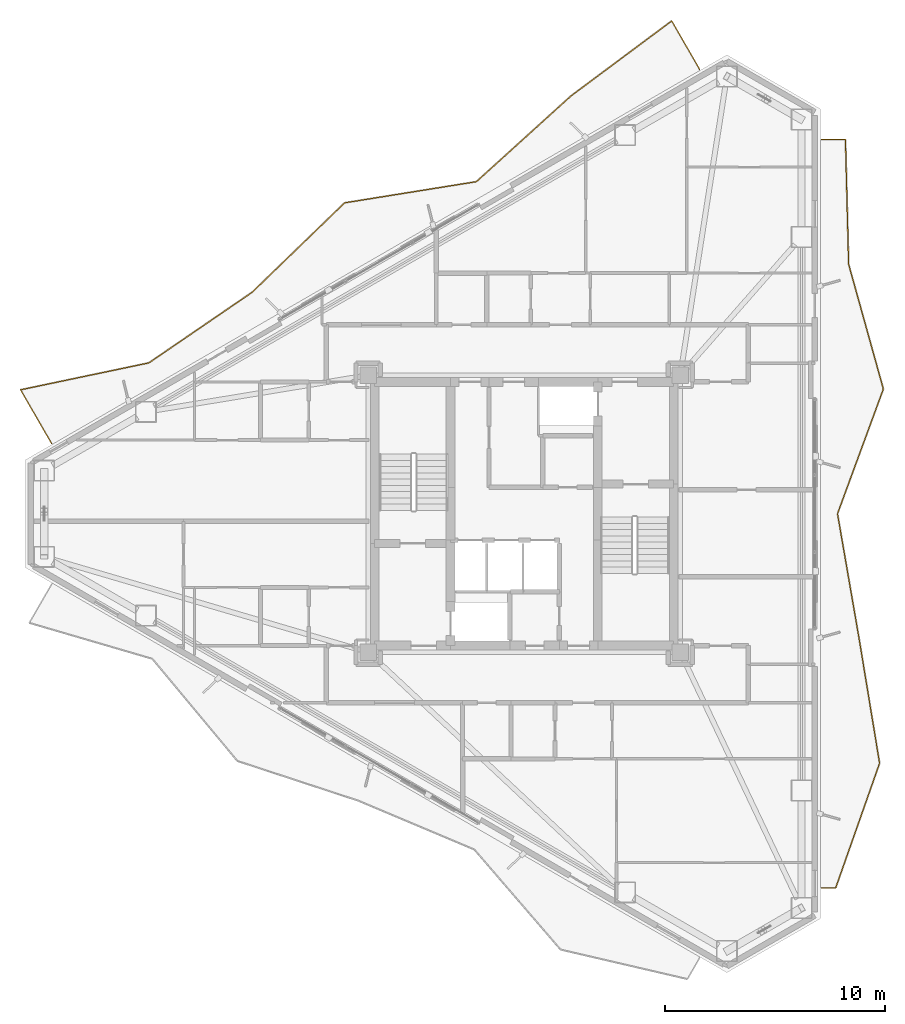
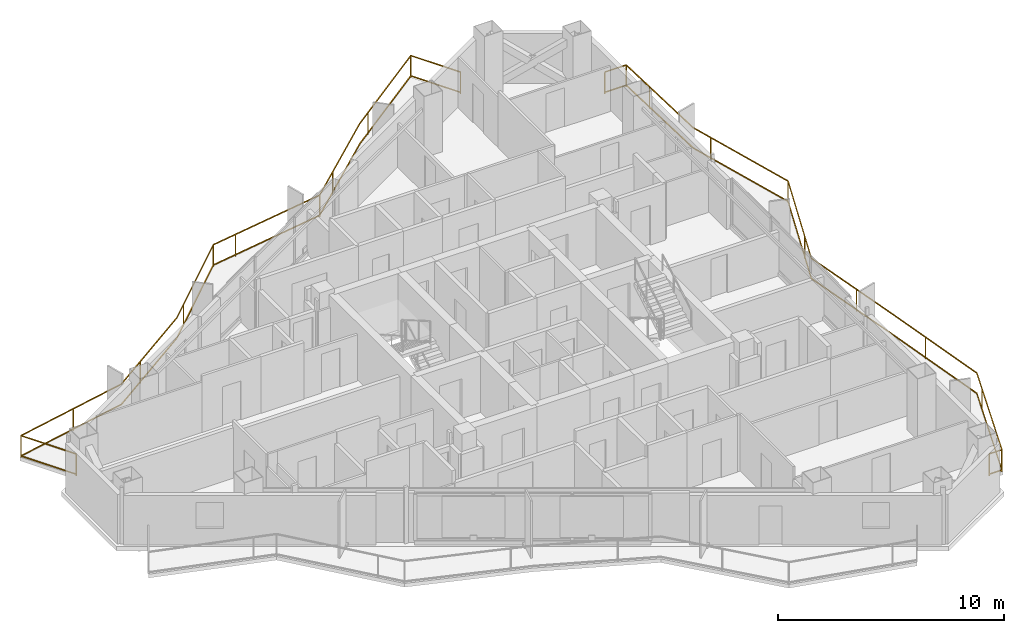
# One storey, part 19 of 19: 2 railings.
"""IFC4 building model written with IfcOpenShell, lengths in metres."""

import ifcopenshell
import ifcopenshell.guid

model = None  # the IFC model being written
_history = None  # IfcOwnerHistory: only IFC2X3 demands one
_inside = {}  # id of a spatial element -> (the spatial element, [elements in it])
_under = {}  # id of a project, library or spatial element -> (it, [spatial elements below it])
_declared = {}  # id of a project -> (the project, [libraries it declares])
_typed = {}  # id of a type object -> (the type object, [elements of that type])
_made_of = {}  # id of a material, layer set ... -> (it, [elements and type objects made of it])


def new_model(schema):
    """Start an empty IFC model of exactly this schema.

    Asked for "IFC4X3", IfcOpenShell would pick the latest addendum, in which some entities
    have other attributes; the version numbers below select the first issue.
    IFC2X3 requires an IfcOwnerHistory on every rooted entity: one is made here for all.
    """
    global model, _history
    if schema == "IFC4X3":
        model = ifcopenshell.file(schema_version=(4, 3, 0, 0))
    else:
        model = ifcopenshell.file(schema=schema)
    _inside.clear()
    _under.clear()
    _declared.clear()
    _typed.clear()
    _made_of.clear()
    _history = None
    if model.schema == "IFC2X3":
        org = make("IfcOrganization", Name="unknown")
        user = make(
            "IfcPersonAndOrganization",
            ThePerson=make("IfcPerson", FamilyName="unknown"),
            TheOrganization=org,
        )
        app = make(
            "IfcApplication",
            ApplicationDeveloper=org,
            Version="unknown",
            ApplicationFullName="unknown",
            ApplicationIdentifier="unknown",
        )
        _history = make(
            "IfcOwnerHistory",
            OwningUser=user,
            OwningApplication=app,
            ChangeAction="ADDED",
            CreationDate=0,
        )
    return model


def make(cls, **values):
    """One entity of the class cls with the attributes given. An attribute that is None is left unset."""
    return model.create_entity(
        cls, **{name: value for name, value in values.items() if value is not None}
    )


def rooted(cls, **values):
    """An entity with a GlobalId (a new one), such as an element, a storey or a relation."""
    return make(cls, GlobalId=ifcopenshell.guid.new(), OwnerHistory=_history, **values)


def si_unit(unit_type, name, prefix=None):
    """IfcSIUnit, for example si_unit("LENGTHUNIT", "METRE", prefix="MILLI")."""
    return make("IfcSIUnit", UnitType=unit_type, Prefix=prefix, Name=name)


def assignment(units):
    """IfcUnitAssignment: the units of a project."""
    return None if units is None else make("IfcUnitAssignment", Units=units)


def point(xyz):
    """IfcCartesianPoint."""
    return None if xyz is None else make("IfcCartesianPoint", Coordinates=xyz)


def direction(xyz):
    """IfcDirection."""
    return None if xyz is None else make("IfcDirection", DirectionRatios=xyz)


def frame(location, z_axis=None, x_axis=None):
    """IfcAxis2Placement3D, a coordinate frame: its origin and axes. An axis left out is left unset."""
    return make(
        "IfcAxis2Placement3D",
        Location=point(location),
        Axis=direction(z_axis),
        RefDirection=direction(x_axis),
    )


def frame_2d(location, x_axis=None):
    """IfcAxis2Placement2D, a coordinate frame in the plane: its origin and x axis."""
    return make(
        "IfcAxis2Placement2D", Location=point(location), RefDirection=direction(x_axis)
    )


def origin():
    """The frame at (0, 0, 0) with its axes left unset."""
    return frame((0.0, 0.0, 0.0))


def origin_2d():
    """The frame at (0, 0) in the plane with its x axis left unset."""
    return frame_2d((0.0, 0.0))


def place(relative_to, where):
    """IfcLocalPlacement: puts the frame where relative to a parent placement (None: the world)."""
    return make(
        "IfcLocalPlacement", PlacementRelTo=relative_to, RelativePlacement=where
    )


def context(
    kind, dimensions, precision=None, world=None, true_north=None, identifier=None
):
    """IfcGeometricRepresentationContext, for example the 3D "Model" context."""
    return make(
        "IfcGeometricRepresentationContext",
        ContextIdentifier=identifier,
        ContextType=kind,
        CoordinateSpaceDimension=dimensions,
        Precision=precision,
        WorldCoordinateSystem=world,
        TrueNorth=true_north,
    )


def subcontext(parent, identifier, kind, view, scale=None):
    """IfcGeometricRepresentationSubContext, for example "Body" below "Model"."""
    return make(
        "IfcGeometricRepresentationSubContext",
        ContextIdentifier=identifier,
        ContextType=kind,
        ParentContext=parent,
        TargetScale=scale,
        TargetView=view,
    )


def project(units=None, contexts=None):
    """IfcProject with its units and contexts."""
    return rooted(
        "IfcProject",
        Name="project",
        RepresentationContexts=contexts,
        UnitsInContext=assignment(units),
    )


def spatial(cls, under=None, at=None, **own):
    """A site, building, storey or space (cls), placed at a placement, below another one or the project."""
    s = rooted(cls, ObjectPlacement=at, **own)
    if under is not None:
        _under.setdefault(under.id(), (under, []))[1].append(s)
    return s


def profile(cls, at=None, kind="AREA", **sizes):
    """A parametric profile (cls). Its sizes go by their IFC names, for example OverallWidth=200.0."""
    return make(cls, ProfileType=kind, Position=at, **sizes)


def rectangle(**sizes):
    """IfcRectangleProfileDef."""
    return profile("IfcRectangleProfileDef", **sizes)


def extrude(swept, where, along, depth):
    """IfcExtrudedAreaSolid: the profile swept, set in the frame where, extruded along a direction by depth."""
    return make(
        "IfcExtrudedAreaSolid",
        SweptArea=swept,
        Position=where,
        ExtrudedDirection=direction(along),
        Depth=depth,
    )


def shape(context_of_items, identifier, shape_type, items):
    """IfcShapeRepresentation: the items that make up one representation, for example the "Body"."""
    return make(
        "IfcShapeRepresentation",
        ContextOfItems=context_of_items,
        RepresentationIdentifier=identifier,
        RepresentationType=shape_type,
        Items=items,
    )


def material(Name=None, Category=None):
    """IfcMaterial."""
    return make("IfcMaterial", Name=Name, Category=Category)


def made_of(thing, what):
    """Note that an element or type object is made of a material, layer set ...; save() writes the relation."""
    if what is not None:
        _made_of.setdefault(what.id(), (what, []))[1].append(thing)
    return thing


def type_object(cls, material=None, **own):
    """A type object (cls), such as IfcWallType, which elements share."""
    return made_of(rooted(cls, **own), material)


def element(
    cls,
    number,
    at=None,
    inside=None,
    cuts=None,
    type_object=None,
    material=None,
    context=None,
    identifier="Body",
    shape_type=None,
    held_by="IfcProductDefinitionShape",
    body=None,
    shapes=None,
    **own,
):
    """One element of the class cls, such as IfcWall. Its Tag is "e" and its number.

    at: its placement. inside: the storey or other place that contains it. cuts: it is an
    opening in that element (IfcRelVoidsElement). A single representation is given by context,
    identifier, shape_type and body (its items); several are given by shapes. held_by: the class
    of the entity that holds the representations. save() writes the other relations.
    """
    e = rooted(cls, Tag="e%d" % number, ObjectPlacement=at, **own)
    if body is not None:
        shapes = [shape(context, identifier, shape_type, body)]
    if shapes is not None:
        e.Representation = make(held_by, Representations=shapes)
    if inside is not None:
        _inside.setdefault(inside.id(), (inside, []))[1].append(e)
    if cuts is not None:
        rooted(
            "IfcRelVoidsElement", RelatingBuildingElement=cuts, RelatedOpeningElement=e
        )
    if type_object is not None:
        _typed.setdefault(type_object.id(), (type_object, []))[1].append(e)
    return made_of(e, material)


def aggregate(whole, parts):
    """IfcRelAggregates: a whole, such as a stair, and the parts it consists of."""
    return rooted("IfcRelAggregates", RelatingObject=whole, RelatedObjects=parts)


def save(model, path):
    """Write the relations noted so far, then the file.

    IfcRelAggregates (storeys below a building ...), IfcRelContainedInSpatialStructure (elements
    in a storey), IfcRelDefinesByType, IfcRelAssociatesMaterial and IfcRelDeclares: one each for
    every whole, place, type object, material and project.
    """
    for whole, parts in _under.values():
        aggregate(whole, parts)
    for where, things in _inside.values():
        rooted(
            "IfcRelContainedInSpatialStructure",
            RelatedElements=things,
            RelatingStructure=where,
        )
    for kind, things in _typed.values():
        rooted("IfcRelDefinesByType", RelatedObjects=things, RelatingType=kind)
    for what, things in _made_of.values():
        rooted("IfcRelAssociatesMaterial", RelatedObjects=things, RelatingMaterial=what)
    for by, libraries in _declared.values():
        rooted("IfcRelDeclares", RelatingContext=by, RelatedDefinitions=libraries)
    model.write(path)


model = new_model("IFC4")

# Units and contexts
model_context = context("Model", 3, precision=1e-05, world=origin(), true_north=direction((0.0, 1.0)))
body_context = subcontext(model_context, "Body", "Model", "MODEL_VIEW")
ifc_project = project(units=[si_unit("LENGTHUNIT", "METRE"), si_unit("AREAUNIT", "SQUARE_METRE"), si_unit("VOLUMEUNIT", "CUBIC_METRE"), si_unit("PLANEANGLEUNIT", "RADIAN"), si_unit("MASSUNIT", "GRAM", prefix="KILO")], contexts=[model_context])

# Site, building, storey
site_placement = place(None, origin())
site = spatial("IfcSite", under=ifc_project, at=site_placement, CompositionType="ELEMENT")
building_placement = place(site_placement, origin())
building = spatial("IfcBuilding", under=site, at=building_placement, Name="Mersakhor Tower and Convention Hall", CompositionType="ELEMENT")
storey_placement = place(building_placement, frame((0.0, 0.0, 124.5)))
storey = spatial("IfcBuildingStorey", under=building, at=storey_placement, Name="L34", CompositionType="ELEMENT", Elevation=124.5)

# Railings
ifc_material = material(Name="Powder-coated galvanised steel and laminated glass balustrade", Category="steel")
railing_type = type_object("IfcRailingType", Name="RL-BAL-1200", PredefinedType="BALUSTRADE", material=ifc_material)
railing_1_placement = place(storey_placement, frame((36.983154296875, 46.969482421875, 0.0)))
element("IfcRailing", 1, at=railing_1_placement, inside=storey, type_object=railing_type, Name="L34 Sinusoidal Balcony Balustrade F1", PredefinedType="BALUSTRADE", context=body_context, shape_type="SweptSolid", body=[
    extrude(rectangle(XDim=0.048095703125, YDim=0.048095703125, at=origin_2d()), frame((0.0, 0.0, 1.17578125), z_axis=(-0.500005339912, 0.866022320763, 0.0), x_axis=(-0.866022320763, -0.500005339912, 0.0)), (0.0, 0.0, 1.0), 2.5400390625),
    extrude(rectangle(XDim=0.048095703125, YDim=0.048095703125, at=origin_2d()), frame((0.0, 0.0, 0.080078125), z_axis=(-0.500005339912, 0.866022320763, 0.0), x_axis=(-0.866022320763, -0.500005339912, 0.0)), (0.0, 0.0, 1.0), 2.5400390625),
    extrude(rectangle(XDim=0.048095703125, YDim=0.048095703125, at=origin_2d()), frame((-1.27001953125, 2.19970703125, 1.17578125), z_axis=(-0.802077080501, -0.597220526217, 0.0), x_axis=(0.597220526217, -0.802077080501, 0.0)), (0.0, 0.0, 1.0), 5.71337890625),
    extrude(rectangle(XDim=0.048095703125, YDim=0.048095703125, at=origin_2d()), frame((-1.27001953125, 2.19970703125, 0.080078125), z_axis=(-0.802077080501, -0.597220526217, 0.0), x_axis=(0.597220526217, -0.802077080501, 0.0)), (0.0, 0.0, 1.0), 5.71337890625),
    extrude(rectangle(XDim=0.048095703125, YDim=0.048095703125, at=origin_2d()), frame((-5.8525390625, -1.21240234375, 1.17578125), z_axis=(-0.740890813886, -0.671625492295, 0.0), x_axis=(0.671625492295, -0.740890813886, 0.0)), (0.0, 0.0, 1.0), 5.80517578125),
    extrude(rectangle(XDim=0.048095703125, YDim=0.048095703125, at=origin_2d()), frame((-5.8525390625, -1.21240234375, 0.080078125), z_axis=(-0.740890813886, -0.671625492295, 0.0), x_axis=(0.671625492295, -0.740890813886, 0.0)), (0.0, 0.0, 1.0), 5.80517578125),
    extrude(rectangle(XDim=0.048095703125, YDim=0.048095703125, at=origin_2d()), frame((-10.153564453125, -5.111328125, 1.17578125), z_axis=(-0.987331270999, -0.158672497013, 0.0), x_axis=(0.158672497013, -0.987331270999, 0.0)), (0.0, 0.0, 1.0), 6.072998046875),
    extrude(rectangle(XDim=0.048095703125, YDim=0.048095703125, at=origin_2d()), frame((-10.153564453125, -5.111328125, 0.080078125), z_axis=(-0.987331270999, -0.158672497013, 0.0), x_axis=(0.158672497013, -0.987331270999, 0.0)), (0.0, 0.0, 1.0), 6.072998046875),
    extrude(rectangle(XDim=0.048095703125, YDim=0.048095703125, at=origin_2d()), frame((-16.149658203125, -6.074951171875, 1.17578125), z_axis=(-0.718779075478, -0.69523854946, 0.0), x_axis=(0.69523854946, -0.718779075478, 0.0)), (0.0, 0.0, 1.0), 5.849365234375),
    extrude(rectangle(XDim=0.048095703125, YDim=0.048095703125, at=origin_2d()), frame((-16.149658203125, -6.074951171875, 0.080078125), z_axis=(-0.718779075478, -0.69523854946, 0.0), x_axis=(0.69523854946, -0.718779075478, 0.0)), (0.0, 0.0, 1.0), 5.849365234375),
    extrude(rectangle(XDim=0.048095703125, YDim=0.048095703125, at=origin_2d()), frame((-20.35400390625, -10.1416015625, 1.17578125), z_axis=(-0.82542509489, -0.564511658628, 0.0), x_axis=(0.564511658628, -0.82542509489, 0.0)), (0.0, 0.0, 1.0), 5.69091796875),
    extrude(rectangle(XDim=0.048095703125, YDim=0.048095703125, at=origin_2d()), frame((-20.35400390625, -10.1416015625, 0.080078125), z_axis=(-0.82542509489, -0.564511658628, 0.0), x_axis=(0.564511658628, -0.82542509489, 0.0)), (0.0, 0.0, 1.0), 5.69091796875),
    extrude(rectangle(XDim=0.048095703125, YDim=0.048095703125, at=origin_2d()), frame((-25.051513671875, -13.354248046875, 1.17578125), z_axis=(-0.97866804928, -0.205447923617, 0.0), x_axis=(0.205447923617, -0.97866804928, 0.0)), (0.0, 0.0, 1.0), 5.971435546875),
    extrude(rectangle(XDim=0.048095703125, YDim=0.048095703125, at=origin_2d()), frame((-25.051513671875, -13.354248046875, 0.080078125), z_axis=(-0.97866804928, -0.205447923617, 0.0), x_axis=(0.205447923617, -0.97866804928, 0.0)), (0.0, 0.0, 1.0), 5.971435546875),
    extrude(rectangle(XDim=0.048095703125, YDim=0.048095703125, at=origin_2d()), frame((-30.8955078125, -14.5810546875, 1.17578125), z_axis=(0.500049687543, -0.865996714767, 0.0), x_axis=(0.865996714767, 0.500049687543, 0.0)), (0.0, 0.0, 1.0), 2.820068359375),
    extrude(rectangle(XDim=0.048095703125, YDim=0.048095703125, at=origin_2d()), frame((-30.8955078125, -14.5810546875, 0.080078125), z_axis=(0.500049687543, -0.865996714767, 0.0), x_axis=(0.865996714767, 0.500049687543, 0.0)), (0.0, 0.0, 1.0), 2.820068359375),
    extrude(rectangle(XDim=0.0419921875, YDim=0.0419921875, at=origin_2d()), origin(), (0.0, 0.0, 1.0), 1.15185546875),
    extrude(rectangle(XDim=0.0419921875, YDim=0.0419921875, at=origin_2d()), frame((-1.27001953125, 2.19970703125, 0.0)), (0.0, 0.0, 1.0), 1.15185546875),
    extrude(rectangle(XDim=0.0419921875, YDim=0.0419921875, at=origin_2d()), frame((-5.119873046875, -0.6669921875, 0.0)), (0.0, 0.0, 1.0), 1.15185546875),
    extrude(rectangle(XDim=0.0419921875, YDim=0.0419921875, at=origin_2d()), frame((-8.732177734375, -3.82275390625, 0.0)), (0.0, 0.0, 1.0), 1.15185546875),
    extrude(rectangle(XDim=0.0419921875, YDim=0.0419921875, at=origin_2d()), frame((-10.153564453125, -5.111328125, 0.0)), (0.0, 0.0, 1.0), 1.15185546875),
    extrude(rectangle(XDim=0.0419921875, YDim=0.0419921875, at=origin_2d()), frame((-14.892822265625, -5.873046875, 0.0)), (0.0, 0.0, 1.0), 1.15185546875),
    extrude(rectangle(XDim=0.0419921875, YDim=0.0419921875, at=origin_2d()), frame((-16.149658203125, -6.074951171875, 0.0)), (0.0, 0.0, 1.0), 1.15185546875),
    extrude(rectangle(XDim=0.0419921875, YDim=0.0419921875, at=origin_2d()), frame((-19.599853515625, -9.412109375, 0.0)), (0.0, 0.0, 1.0), 1.15185546875),
    extrude(rectangle(XDim=0.0419921875, YDim=0.0419921875, at=origin_2d()), frame((-23.449951171875, -12.259033203125, 0.0)), (0.0, 0.0, 1.0), 1.15185546875),
    extrude(rectangle(XDim=0.0419921875, YDim=0.0419921875, at=origin_2d()), frame((-27.85009765625, -13.941650390625, 0.0)), (0.0, 0.0, 1.0), 1.15185546875),
    extrude(rectangle(XDim=0.0419921875, YDim=0.0419921875, at=origin_2d()), frame((-30.8955078125, -14.5810546875, 0.0)), (0.0, 0.0, 1.0), 1.15185546875),
    extrude(rectangle(XDim=0.0419921875, YDim=0.0419921875, at=origin_2d()), frame((-29.4853515625, -17.023193359375, 0.0)), (0.0, 0.0, 1.0), 1.15185546875),
])
railing_2_placement = place(storey_placement, frame((42.519287109375, 9.726806640625, 0.0)))
element("IfcRailing", 2, at=railing_2_placement, inside=storey, type_object=railing_type, Name="L34 Sinusoidal Balcony Balustrade F2", PredefinedType="BALUSTRADE", context=body_context, shape_type="SweptSolid", body=[
    extrude(rectangle(XDim=0.048095703125, YDim=0.048095703125, at=origin_2d()), frame((0.0, 0.0, 1.17578125), z_axis=(1.0, 0.0, 0.0), x_axis=(0.0, 1.0, 0.0)), (0.0, 0.0, 1.0), 0.64990234375),
    extrude(rectangle(XDim=0.048095703125, YDim=0.048095703125, at=origin_2d()), frame((0.0, 0.0, 0.080078125), z_axis=(1.0, 0.0, 0.0), x_axis=(0.0, 1.0, 0.0)), (0.0, 0.0, 1.0), 0.64990234375),
    extrude(rectangle(XDim=0.048095703125, YDim=0.048095703125, at=origin_2d()), frame((0.64990234375, 0.0, 1.17578125), z_axis=(0.332204448729, 0.94320740256, 0.0), x_axis=(-0.94320740256, 0.332204448729, 0.0)), (0.0, 0.0, 1.0), 6.015869140625),
    extrude(rectangle(XDim=0.048095703125, YDim=0.048095703125, at=origin_2d()), frame((0.64990234375, 0.0, 0.080078125), z_axis=(0.332204448729, 0.94320740256, 0.0), x_axis=(-0.94320740256, 0.332204448729, 0.0)), (0.0, 0.0, 1.0), 6.015869140625),
    extrude(rectangle(XDim=0.048095703125, YDim=0.048095703125, at=origin_2d()), frame((2.6484375, 5.67431640625, 1.17578125), z_axis=(-0.162381566776, 0.986728040937, 0.0), x_axis=(-0.986728040937, -0.162381566776, 0.0)), (0.0, 0.0, 1.0), 5.7509765625),
    extrude(rectangle(XDim=0.048095703125, YDim=0.048095703125, at=origin_2d()), frame((2.6484375, 5.67431640625, 0.080078125), z_axis=(-0.162381566776, 0.986728040937, 0.0), x_axis=(-0.986728040937, -0.162381566776, 0.0)), (0.0, 0.0, 1.0), 5.7509765625),
    extrude(rectangle(XDim=0.048095703125, YDim=0.048095703125, at=origin_2d()), frame((1.714599609375, 11.348876953125, 1.17578125), z_axis=(-0.170432192377, 0.985369406772, 0.0), x_axis=(-0.985369406772, -0.170432192377, 0.0)), (0.0, 0.0, 1.0), 5.758544921875),
    extrude(rectangle(XDim=0.048095703125, YDim=0.048095703125, at=origin_2d()), frame((1.714599609375, 11.348876953125, 0.080078125), z_axis=(-0.170432192377, 0.985369406772, 0.0), x_axis=(-0.985369406772, -0.170432192377, 0.0)), (0.0, 0.0, 1.0), 5.758544921875),
    extrude(rectangle(XDim=0.048095703125, YDim=0.048095703125, at=origin_2d()), frame((0.733154296875, 17.023193359375, 1.17578125), z_axis=(0.345142021673, 0.938550470074, 0.0), x_axis=(-0.938550470074, 0.345142021673, 0.0)), (0.0, 0.0, 1.0), 6.0458984375),
    extrude(rectangle(XDim=0.048095703125, YDim=0.048095703125, at=origin_2d()), frame((0.733154296875, 17.023193359375, 0.080078125), z_axis=(0.345142021673, 0.938550470074, 0.0), x_axis=(-0.938550470074, 0.345142021673, 0.0)), (0.0, 0.0, 1.0), 6.0458984375),
    extrude(rectangle(XDim=0.048095703125, YDim=0.048095703125, at=origin_2d()), frame((2.81982421875, 22.697509765625, 1.17578125), z_axis=(-0.268167563503, 0.963372284158, 0.0), x_axis=(-0.963372284158, -0.268167563503, 0.0)), (0.0, 0.0, 1.0), 5.890380859375),
    extrude(rectangle(XDim=0.048095703125, YDim=0.048095703125, at=origin_2d()), frame((2.81982421875, 22.697509765625, 0.080078125), z_axis=(-0.268167563503, 0.963372284158, 0.0), x_axis=(-0.963372284158, -0.268167563503, 0.0)), (0.0, 0.0, 1.0), 5.890380859375),
    extrude(rectangle(XDim=0.048095703125, YDim=0.048095703125, at=origin_2d()), frame((1.240234375, 28.3720703125, 1.17578125), z_axis=(-0.025591821833, 0.999672475692, 0.0), x_axis=(-0.999672475692, -0.025591821833, 0.0)), (0.0, 0.0, 1.0), 5.67626953125),
    extrude(rectangle(XDim=0.048095703125, YDim=0.048095703125, at=origin_2d()), frame((1.240234375, 28.3720703125, 0.080078125), z_axis=(-0.025591821833, 0.999672475692, 0.0), x_axis=(-0.999672475692, -0.025591821833, 0.0)), (0.0, 0.0, 1.0), 5.67626953125),
    extrude(rectangle(XDim=0.048095703125, YDim=0.048095703125, at=origin_2d()), frame((1.094970703125, 34.04638671875, 1.17578125), z_axis=(-1.0, 0.0, 0.0), x_axis=(0.0, -1.0, 0.0)), (0.0, 0.0, 1.0), 1.094970703125),
    extrude(rectangle(XDim=0.048095703125, YDim=0.048095703125, at=origin_2d()), frame((1.094970703125, 34.04638671875, 0.080078125), z_axis=(-1.0, 0.0, 0.0), x_axis=(0.0, -1.0, 0.0)), (0.0, 0.0, 1.0), 1.094970703125),
    extrude(rectangle(XDim=0.0419921875, YDim=0.0419921875, at=origin_2d()), origin(), (0.0, 0.0, 1.0), 1.15185546875),
    extrude(rectangle(XDim=0.0419921875, YDim=0.0419921875, at=origin_2d()), frame((0.64990234375, 0.0, 0.0)), (0.0, 0.0, 1.0), 1.15185546875),
    extrude(rectangle(XDim=0.0419921875, YDim=0.0419921875, at=origin_2d()), frame((2.244384765625, 4.52734375, 0.0)), (0.0, 0.0, 1.0), 1.15185546875),
    extrude(rectangle(XDim=0.0419921875, YDim=0.0419921875, at=origin_2d()), frame((2.06640625, 9.210693359375, 0.0)), (0.0, 0.0, 1.0), 1.15185546875),
    extrude(rectangle(XDim=0.0419921875, YDim=0.0419921875, at=origin_2d()), frame((1.265869140625, 13.943603515625, 0.0)), (0.0, 0.0, 1.0), 1.15185546875),
    extrude(rectangle(XDim=0.0419921875, YDim=0.0419921875, at=origin_2d()), frame((1.31103515625, 18.594970703125, 0.0)), (0.0, 0.0, 1.0), 1.15185546875),
    extrude(rectangle(XDim=0.0419921875, YDim=0.0419921875, at=origin_2d()), frame((2.81982421875, 22.697509765625, 0.0)), (0.0, 0.0, 1.0), 1.15185546875),
    extrude(rectangle(XDim=0.0419921875, YDim=0.0419921875, at=origin_2d()), frame((1.53271484375, 27.32177734375, 0.0)), (0.0, 0.0, 1.0), 1.15185546875),
    extrude(rectangle(XDim=0.0419921875, YDim=0.0419921875, at=origin_2d()), frame((1.145263671875, 32.08056640625, 0.0)), (0.0, 0.0, 1.0), 1.15185546875),
    extrude(rectangle(XDim=0.0419921875, YDim=0.0419921875, at=origin_2d()), frame((1.094970703125, 34.04638671875, 0.0)), (0.0, 0.0, 1.0), 1.15185546875),
    extrude(rectangle(XDim=0.0419921875, YDim=0.0419921875, at=origin_2d()), frame((0.0, 34.04638671875, 0.0)), (0.0, 0.0, 1.0), 1.15185546875),
])

save(model, "model.ifc")
